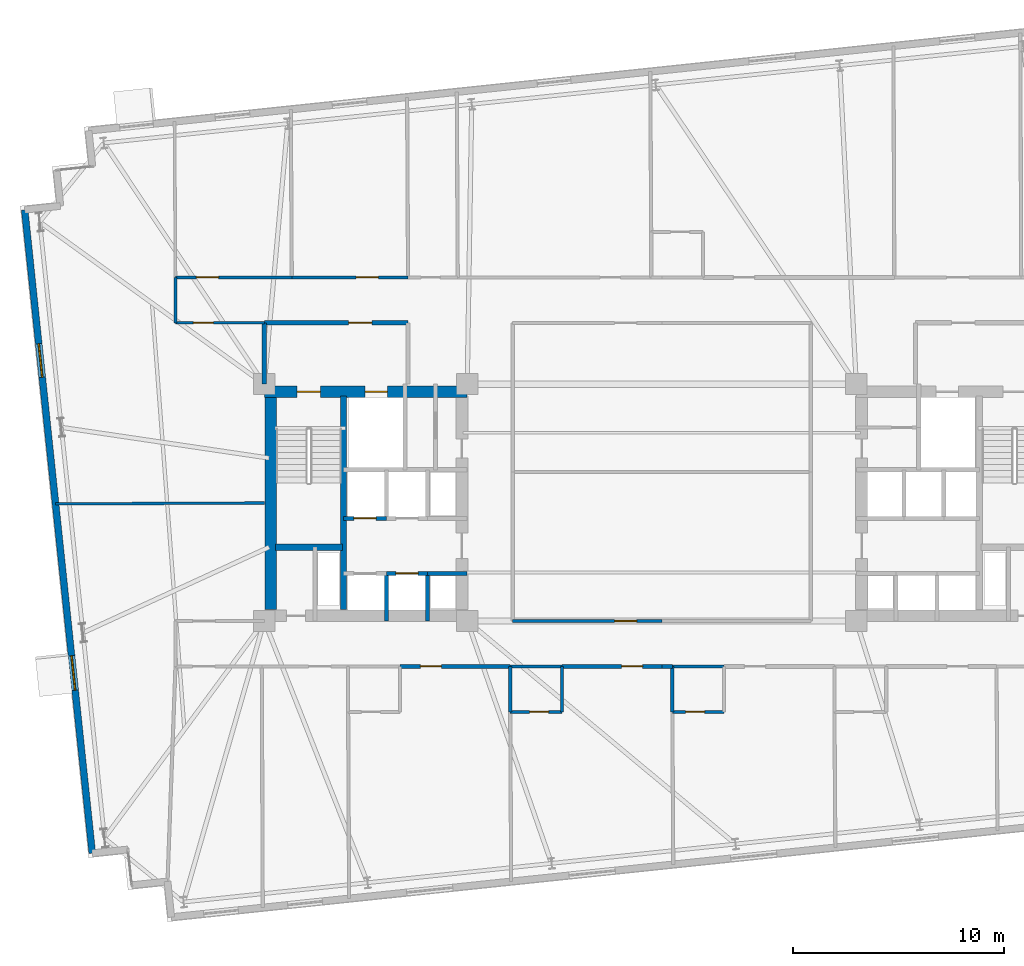
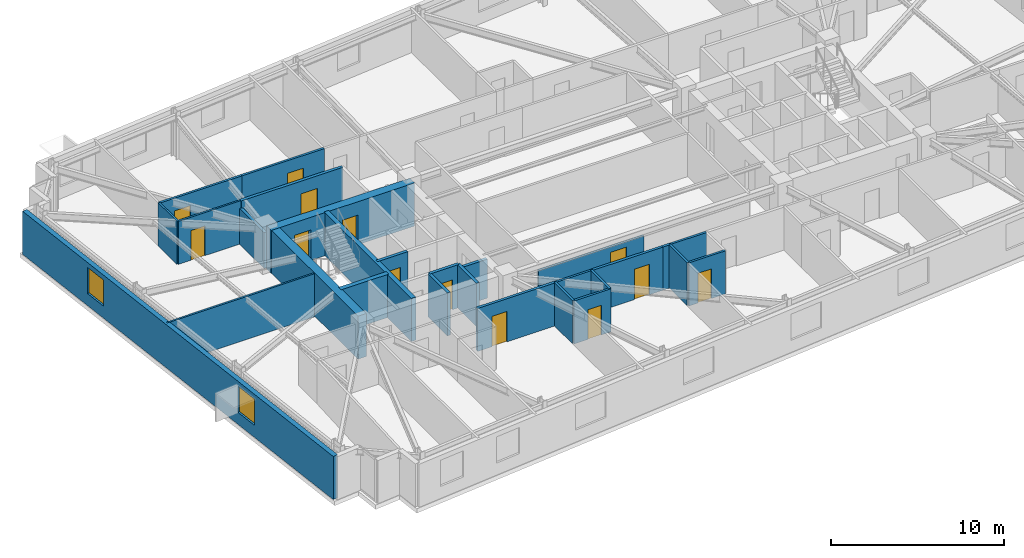
# One storey, part 12 of 18: 28 walls, 13 doors, 2 windows, 15 openings.
"""IFC4 building model written with IfcOpenShell, lengths in metres."""

from ifc_helpers import new_model, si_unit, direction, frame, frame_2d, origin, place, context, subcontext, project, spatial, rectangle, extrude, material, layer, layer_set, type_object, element, fill, save


model = new_model("IFC4")

# Units and contexts
model_context = context("Model", 3, precision=1e-05, world=origin(), true_north=direction((0.0, 1.0)))
body_context = subcontext(model_context, "Body", "Model", "MODEL_VIEW")
ifc_project = project(units=[si_unit("LENGTHUNIT", "METRE"), si_unit("AREAUNIT", "SQUARE_METRE"), si_unit("VOLUMEUNIT", "CUBIC_METRE"), si_unit("PLANEANGLEUNIT", "RADIAN"), si_unit("MASSUNIT", "GRAM", prefix="KILO")], contexts=[model_context])

# Site, building, storey
site_placement = place(None, origin())
site = spatial("IfcSite", under=ifc_project, at=site_placement, CompositionType="ELEMENT")
building_placement = place(site_placement, origin())
building = spatial("IfcBuilding", under=site, at=building_placement, Name="Qobustan Lattice House", CompositionType="ELEMENT")
storey_placement = place(building_placement, frame((0.0, 0.0, 92.39990234375)))
storey = spatial("IfcBuildingStorey", under=building, at=storey_placement, Name="L25", CompositionType="ELEMENT", Elevation=92.39990234375)

# Wall, openings, doors
ifc_material_1 = material(Name="Concrete C60/75", Category="concrete")
ifc_layer_1 = layer(ifc_material_1, 0.56005859375)
ifc_layer_set_1 = layer_set([ifc_layer_1], Name="Concrete C60/75")
wall_type_1 = type_object("IfcWallType", Name="WAL-CORE-600", PredefinedType="SHEAR", material=ifc_layer_set_1)
wall_1_placement = place(storey_placement, frame((-18.800048828125, 5.239990234375, 0.0), z_axis=(0.0, 0.0, 1.0), x_axis=(1.0, 0.0, 0.0)))
wall_1 = element("IfcWall", 1, at=wall_1_placement, inside=storey, type_object=wall_type_1, Name="L25 split-core shear wall CW-N", PredefinedType="SHEAR", context=body_context, shape_type="SweptSolid", body=[
    extrude(rectangle(XDim=9.60009765625, YDim=0.56005859375, at=frame_2d((4.800048828125, 0.0))), origin(), (0.0, 0.0, 1.0), 3.045166015625),
])
opening_1_placement = place(wall_1_placement, frame((1.550048828125, 0.0, 0.0)))
opening_1 = element("IfcOpeningElement", 2, at=opening_1_placement, cuts=wall_1, Name="Opening SD-01", PredefinedType="OPENING", context=body_context, shape_type="SweptSolid", body=[
    extrude(rectangle(XDim=1.10009765625, YDim=2.14990234375, at=frame_2d((0.550048828125, 1.074951171875))), frame((0.0, 0.2900390625, 0.0), z_axis=(0.0, -1.0, 0.0), x_axis=(1.0, 0.0, 0.0)), (0.0, 0.0, 1.0), 0.580078125),
])
opening_2_placement = place(wall_1_placement, frame((4.77490234375, 0.0, 0.0)))
opening_2 = element("IfcOpeningElement", 3, at=opening_2_placement, cuts=wall_1, Name="Opening LD-01", PredefinedType="OPENING", context=body_context, shape_type="SweptSolid", body=[
    extrude(rectangle(XDim=1.050048828125, YDim=2.10009765625, at=frame_2d((0.52490234375, 1.050048828125))), frame((0.0, 0.2900390625, 0.0), z_axis=(0.0, -1.0, 0.0), x_axis=(1.0, 0.0, 0.0)), (0.0, 0.0, 1.0), 0.580078125),
])
ifc_material_2 = material(Name="Persian walnut timber and steel frame door", Category="steel")
door_type_1 = type_object("IfcDoorType", Name="DOR-LIFT-LD-1050x2100", OperationType="NOTDEFINED", PredefinedType="DOOR", material=ifc_material_2)
door_1_placement = place(opening_2_placement, origin())
door_1 = element("IfcDoor", 4, at=door_1_placement, inside=storey, type_object=door_type_1, Name="L25 firefighting lift FF-W landing door", OperationType="DOUBLE_DOOR_SLIDING", OverallHeight=2.10009765625, OverallWidth=1.050048828125, PredefinedType="DOOR", context=body_context, shape_type="SweptSolid", body=[
    extrude(rectangle(XDim=1.050048828125, YDim=2.10009765625, at=frame_2d((0.52490234375, 1.050048828125))), frame((0.0, 0.02490234375, 0.0), z_axis=(0.0, -1.0, 0.0), x_axis=(1.0, 0.0, 0.0)), (0.0, 0.0, 1.0), 0.050048828125),
])
fill(opening_2, door_1)
ifc_material_3 = material(Name="Persian walnut timber and steel frame door", Category="steel")
door_type_2 = type_object("IfcDoorType", Name="DOR-STAIR-FD-1100x2150", OperationType="NOTDEFINED", PredefinedType="DOOR", material=ifc_material_3)
door_2_placement = place(opening_1_placement, origin())
door_2 = element("IfcDoor", 5, at=door_2_placement, inside=storey, type_object=door_type_2, Name="L25 exit stair ST-W1 fire door", OperationType="SINGLE_SWING_RIGHT", OverallHeight=2.14990234375, OverallWidth=1.10009765625, PredefinedType="DOOR", context=body_context, shape_type="SweptSolid", body=[
    extrude(rectangle(XDim=1.10009765625, YDim=2.14990234375, at=frame_2d((0.550048828125, 1.074951171875))), frame((0.0, 0.02490234375, 0.0), z_axis=(0.0, -1.0, 0.0), x_axis=(1.0, 0.0, 0.0)), (0.0, 0.0, 1.0), 0.050048828125),
])
fill(opening_1, door_2)

# Walls
wall_2_placement = place(storey_placement, frame((-18.489990234375, -5.050048828125, 0.0), z_axis=(0.0, 0.0, 1.0), x_axis=(0.0, 1.0, 0.0)))
element("IfcWall", 6, at=wall_2_placement, inside=storey, type_object=wall_type_1, Name="L25 split-core shear wall CW-W", PredefinedType="SHEAR", context=body_context, shape_type="SweptSolid", body=[
    extrude(rectangle(XDim=10.10009765625, YDim=0.56005859375, at=frame_2d((5.050048828125, 0.0))), origin(), (0.0, 0.0, 1.0), 3.045166015625),
])
ifc_material_4 = material(Name="Concrete C50/60", Category="concrete")
ifc_layer_2 = layer(ifc_material_4, 0.280029296875)
ifc_layer_set_2 = layer_set([ifc_layer_2], Name="Concrete C50/60")
wall_type_2 = type_object("IfcWallType", Name="WAL-CORE-SPINE-280", PredefinedType="SHEAR", material=ifc_layer_set_2)
wall_3_placement = place(storey_placement, frame((-15.050048828125, -5.050048828125, 0.0), z_axis=(0.0, 0.0, 1.0), x_axis=(0.0, 1.0, 0.0)))
element("IfcWall", 7, at=wall_3_placement, inside=storey, type_object=wall_type_2, Name="L25 split-core shear wall CW-M", PredefinedType="SHEAR", context=body_context, shape_type="SweptSolid", body=[
    extrude(rectangle(XDim=10.10009765625, YDim=0.300048828125, at=frame_2d((5.050048828125, 0.0))), origin(), (0.0, 0.0, 1.0), 3.045166015625),
])
wall_4_placement = place(storey_placement, frame((-18.280029296875, -2.110107421875, 0.0), z_axis=(0.0, 0.0, 1.0), x_axis=(1.0, 0.0, 0.0)))
element("IfcWall", 8, at=wall_4_placement, inside=storey, type_object=wall_type_2, Name="L25 split-core shear wall CW-ST", PredefinedType="SHEAR", context=body_context, shape_type="SweptSolid", body=[
    extrude(rectangle(XDim=3.179931640625, YDim=0.300048828125, at=frame_2d((1.58984375, 0.0))), origin(), (0.0, 0.0, 1.0), 3.045166015625),
])

# Wall, openings, windows
ifc_material_5 = material(Name="Precast concrete C40/50", Category="concrete")
ifc_layer_3 = layer(ifc_material_5, 0.320068359375)
ifc_layer_set_3 = layer_set([ifc_layer_3], Name="Precast concrete C40/50")
wall_type_3 = type_object("IfcWallType", Name="WAL-EXT-STONE-320", PredefinedType="SOLIDWALL", material=ifc_layer_set_3)
wall_5_placement = place(storey_placement, frame((-26.934814453125, -16.58349609375, 0.0), z_axis=(0.0, 0.0, 1.0), x_axis=(-0.104524887486, 0.994522271192, 0.0)))
wall_5 = element("IfcWall", 9, at=wall_5_placement, inside=storey, type_object=wall_type_3, Name="L25 exterior limestone-clad wall 5", PredefinedType="SOLIDWALL", context=body_context, shape_type="SweptSolid", body=[
    extrude(rectangle(XDim=30.600341796875, YDim=0.320068359375, at=frame_2d((15.30029296875, 0.0))), origin(), (0.0, 0.0, 1.0), 3.045166015625),
])
opening_3_placement = place(wall_5_placement, frame((7.74609375, 0.0, 0.85009765625)))
opening_3 = element("IfcOpeningElement", 10, at=opening_3_placement, cuts=wall_5, Name="Opening WN-09", PredefinedType="OPENING", context=body_context, shape_type="SweptSolid", body=[
    extrude(rectangle(XDim=1.64990234375, YDim=1.85009765625, at=frame_2d((0.824951171875, 0.925048828125))), frame((0.0, 0.169921875, 0.0), z_axis=(0.0, -1.0, 0.0), x_axis=(1.0, 0.0, 0.0)), (0.0, 0.0, 1.0), 0.340087890625),
])
opening_4_placement = place(wall_5_placement, frame((22.630615234375, 0.0, 0.85009765625)))
opening_4 = element("IfcOpeningElement", 11, at=opening_4_placement, cuts=wall_5, Name="Opening WN-13", PredefinedType="OPENING", context=body_context, shape_type="SweptSolid", body=[
    extrude(rectangle(XDim=1.60009765625, YDim=1.85009765625, at=frame_2d((0.800048828125, 0.925048828125))), frame((0.0, 0.169921875, 0.0), z_axis=(0.0, -1.0, 0.0), x_axis=(1.0, 0.0, 0.0)), (0.0, 0.0, 1.0), 0.340087890625),
])
ifc_material_6 = material(Name="Double-glazed low-E aluminium window", Category="aluminium")
window_type_1 = type_object("IfcWindowType", Name="WIN-BED-1600x1850", PartitioningType="SINGLE_PANEL", PredefinedType="WINDOW", material=ifc_material_6)
window_1_placement = place(opening_4_placement, origin())
window_1 = element("IfcWindow", 12, at=window_1_placement, inside=storey, type_object=window_type_1, Name="L25 Music and podcast studio window", OverallHeight=1.85009765625, OverallWidth=1.60009765625, PartitioningType="SINGLE_PANEL", PredefinedType="WINDOW", context=body_context, shape_type="SweptSolid", body=[
    extrude(rectangle(XDim=1.60009765625, YDim=1.85009765625, at=frame_2d((0.800048828125, 0.925048828125))), frame((0.0, 0.030029296875, 0.0), z_axis=(0.0, -1.0, 0.0), x_axis=(1.0, 0.0, 0.0)), (0.0, 0.0, 1.0), 0.06005859375),
])
fill(opening_4, window_1)
ifc_material_7 = material(Name="Double-glazed low-E aluminium window", Category="aluminium")
window_type_2 = type_object("IfcWindowType", Name="WIN-STU-1650x1850", PartitioningType="SINGLE_PANEL", PredefinedType="WINDOW", material=ifc_material_7)
window_2_placement = place(opening_3_placement, origin())
window_2 = element("IfcWindow", 13, at=window_2_placement, inside=storey, type_object=window_type_2, Name="L25 Academic seminar room window", OverallHeight=1.85009765625, OverallWidth=1.64990234375, PartitioningType="SINGLE_PANEL", PredefinedType="WINDOW", context=body_context, shape_type="SweptSolid", body=[
    extrude(rectangle(XDim=1.64990234375, YDim=1.85009765625, at=frame_2d((0.824951171875, 0.925048828125))), frame((0.0, 0.030029296875, 0.0), z_axis=(0.0, -1.0, 0.0), x_axis=(1.0, 0.0, 0.0)), (0.0, 0.0, 1.0), 0.06005859375),
])
fill(opening_3, window_2)

# Wall, opening, door
ifc_material_8 = material(Name="Gypsum fireboard acoustic partition", Category="gypsum")
ifc_layer_4 = layer(ifc_material_8, 0.179931640625)
ifc_layer_set_4 = layer_set([ifc_layer_4], Name="Gypsum fireboard acoustic partition")
wall_type_4 = type_object("IfcWallType", Name="WAL-FIRE-180", PredefinedType="PARTITIONING", material=ifc_layer_set_4)
wall_6_placement = place(storey_placement, frame((-7.1669921875, -7.75, 0.0), z_axis=(0.0, 0.0, 1.0), x_axis=(-1.0, 0.0, 0.0)))
wall_6 = element("IfcWall", 14, at=wall_6_placement, inside=storey, type_object=wall_type_4, Name="L25 interior partition 57", PredefinedType="PARTITIONING", context=body_context, shape_type="SweptSolid", body=[
    extrude(rectangle(XDim=5.216064453125, YDim=0.179931640625, at=frame_2d((2.60791015625, 0.0))), origin(), (0.0, 0.0, 1.0), 3.045166015625),
])
opening_5_placement = place(wall_6_placement, frame((3.25390625, 0.0, 0.0)))
opening_5 = element("IfcOpeningElement", 15, at=opening_5_placement, cuts=wall_6, Name="Opening FD-02", PredefinedType="OPENING", context=body_context, shape_type="SweptSolid", body=[
    extrude(rectangle(XDim=1.0, YDim=2.14990234375, at=frame_2d((0.5, 1.074951171875))), frame((0.0, 0.099853515625, 0.0), z_axis=(0.0, -1.0, 0.0), x_axis=(1.0, 0.0, 0.0)), (0.0, 0.0, 1.0), 0.199951171875),
])
ifc_material_9 = material(Name="Persian walnut timber and steel frame door", Category="steel")
door_type_3 = type_object("IfcDoorType", Name="DOR-UNIT-FD-1000x2150", OperationType="NOTDEFINED", PredefinedType="DOOR", material=ifc_material_9)
door_3_placement = place(opening_5_placement, origin())
door_3 = element("IfcDoor", 16, at=door_3_placement, inside=storey, type_object=door_type_3, Name="L25 South-west floor corridor to Kitchenette and studio apartment L25-S2 door", OperationType="SINGLE_SWING_LEFT", OverallHeight=2.14990234375, OverallWidth=1.0, PredefinedType="DOOR", context=body_context, shape_type="SweptSolid", body=[
    extrude(rectangle(XDim=1.0, YDim=2.14990234375, at=frame_2d((0.5, 1.074951171875))), frame((0.0, 0.02490234375, 0.0), z_axis=(0.0, -1.0, 0.0), x_axis=(1.0, 0.0, 0.0)), (0.0, 0.0, 1.0), 0.050048828125),
])
fill(opening_5, door_3)

wall_7_placement = place(storey_placement, frame((0.0, -7.75, 0.0), z_axis=(0.0, 0.0, 1.0), x_axis=(-1.0, 0.0, 0.0)))
wall_7 = element("IfcWall", 17, at=wall_7_placement, inside=storey, type_object=wall_type_4, Name="L25 interior partition 59", PredefinedType="PARTITIONING", context=body_context, shape_type="SweptSolid", body=[
    extrude(rectangle(XDim=4.717041015625, YDim=0.179931640625, at=frame_2d((2.3583984375, 0.0))), origin(), (0.0, 0.0, 1.0), 3.045166015625),
])
opening_6_placement = place(wall_7_placement, frame((0.899658203125, 0.0, 0.0)))
opening_6 = element("IfcOpeningElement", 18, at=opening_6_placement, cuts=wall_7, Name="Opening FD-02", PredefinedType="OPENING", context=body_context, shape_type="SweptSolid", body=[
    extrude(rectangle(XDim=1.0, YDim=2.14990234375, at=frame_2d((0.5, 1.074951171875))), frame((0.0, 0.099853515625, 0.0), z_axis=(0.0, -1.0, 0.0), x_axis=(1.0, 0.0, 0.0)), (0.0, 0.0, 1.0), 0.199951171875),
])
door_4_placement = place(opening_6_placement, origin())
door_4 = element("IfcDoor", 19, at=door_4_placement, inside=storey, type_object=door_type_3, Name="L25 South-west floor corridor to Kitchenette and studio apartment L25-S3 door", OperationType="SINGLE_SWING_RIGHT", OverallHeight=2.14990234375, OverallWidth=1.0, PredefinedType="DOOR", context=body_context, shape_type="SweptSolid", body=[
    extrude(rectangle(XDim=1.0, YDim=2.14990234375, at=frame_2d((0.5, 1.074951171875))), frame((0.0, 0.02490234375, 0.0), z_axis=(0.0, -1.0, 0.0), x_axis=(1.0, 0.0, 0.0)), (0.0, 0.0, 1.0), 0.050048828125),
])
fill(opening_6, door_4)

# Wall
wall_8_placement = place(storey_placement, frame((0.5, -7.75, 0.0), z_axis=(0.0, 0.0, 1.0), x_axis=(-1.0, 0.0, 0.0)))
element("IfcWall", 20, at=wall_8_placement, inside=storey, type_object=wall_type_4, Name="L25 interior partition 64", PredefinedType="PARTITIONING", context=body_context, shape_type="SweptSolid", body=[
    extrude(rectangle(XDim=0.5, YDim=0.179931640625, at=frame_2d((0.25, 0.0))), origin(), (0.0, 0.0, 1.0), 3.045166015625),
])

# Wall, opening, door
ifc_material_10 = material(Name="Lightweight acoustic stud partition", Category="gypsum")
ifc_layer_5 = layer(ifc_material_10, 0.125)
ifc_layer_set_5 = layer_set([ifc_layer_5], Name="Lightweight acoustic stud partition")
wall_type_5 = type_object("IfcWallType", Name="WAL-PART-125", PredefinedType="PARTITIONING", material=ifc_layer_set_5)
wall_9_placement = place(storey_placement, frame((-18.800048828125, 8.5, 0.0), z_axis=(0.0, 0.0, 1.0), x_axis=(-1.0, 0.0, 0.0)))
wall_9 = element("IfcWall", 21, at=wall_9_placement, inside=storey, type_object=wall_type_5, Name="L25 interior partition 38", PredefinedType="PARTITIONING", context=body_context, shape_type="SweptSolid", body=[
    extrude(rectangle(XDim=4.199951171875, YDim=0.125, at=frame_2d((2.10009765625, 0.0))), origin(), (0.0, 0.0, 1.0), 3.045166015625),
])
opening_7_placement = place(wall_9_placement, frame((2.40869140625, 0.0, 0.0)))
opening_7 = element("IfcOpeningElement", 22, at=opening_7_placement, cuts=wall_9, Name="Opening ID-01", PredefinedType="OPENING", context=body_context, shape_type="SweptSolid", body=[
    extrude(rectangle(XDim=0.949951171875, YDim=2.10009765625, at=frame_2d((0.47509765625, 1.050048828125))), frame((0.0, 0.072509765625, 0.0), z_axis=(0.0, -1.0, 0.0), x_axis=(1.0, 0.0, 0.0)), (0.0, 0.0, 1.0), 0.14501953125),
])
ifc_material_11 = material(Name="Persian walnut timber and steel frame door", Category="steel")
door_type_4 = type_object("IfcDoorType", Name="DOR-ROOM-950x2100", OperationType="NOTDEFINED", PredefinedType="DOOR", material=ifc_material_11)
door_5_placement = place(opening_7_placement, origin())
door_5 = element("IfcDoor", 23, at=door_5_placement, inside=storey, type_object=door_type_4, Name="L25 North-west floor corridor to Music and podcast studio door", OperationType="SINGLE_SWING_RIGHT", OverallHeight=2.10009765625, OverallWidth=0.949951171875, PredefinedType="DOOR", context=body_context, shape_type="SweptSolid", body=[
    extrude(rectangle(XDim=0.949951171875, YDim=2.10009765625, at=frame_2d((0.47509765625, 1.050048828125))), frame((0.0, 0.02490234375, 0.0), z_axis=(0.0, -1.0, 0.0), x_axis=(1.0, 0.0, 0.0)), (0.0, 0.0, 1.0), 0.050048828125),
])
fill(opening_7, door_5)

# Walls
wall_10_placement = place(storey_placement, frame((-23.0, 8.5, 0.0), z_axis=(0.0, 0.0, 1.0), x_axis=(0.0, 1.0, 0.0)))
element("IfcWall", 24, at=wall_10_placement, inside=storey, type_object=wall_type_5, Name="L25 interior partition 39", PredefinedType="PARTITIONING", context=body_context, shape_type="SweptSolid", body=[
    extrude(rectangle(XDim=2.14990234375, YDim=0.125, at=frame_2d((1.074951171875, 0.0))), origin(), (0.0, 0.0, 1.0), 3.045166015625),
])
wall_11_placement = place(storey_placement, frame((-28.6708984375, -0.063720703125, 0.0), z_axis=(0.0, 0.0, 1.0), x_axis=(0.999990089865, 0.004451985263, 0.0)))
element("IfcWall", 25, at=wall_11_placement, inside=storey, type_object=wall_type_5, Name="L25 interior partition 75", PredefinedType="PARTITIONING", context=body_context, shape_type="SweptSolid", body=[
    extrude(rectangle(XDim=9.870849609375, YDim=0.125, at=frame_2d((4.935546875, 0.0))), origin(), (0.0, 0.0, 1.0), 3.045166015625),
])

# Wall, opening, door
ifc_material_12 = material(Name="Acoustic twin-stud gypsum partition", Category="gypsum")
ifc_layer_6 = layer(ifc_material_12, 0.14990234375)
ifc_layer_set_6 = layer_set([ifc_layer_6], Name="Acoustic twin-stud gypsum partition")
wall_type_6 = type_object("IfcWallType", Name="WAL-PART-150", PredefinedType="PARTITIONING", material=ifc_layer_set_6)
wall_12_placement = place(storey_placement, frame((-23.0, 10.64990234375, 0.0), z_axis=(0.0, 0.0, 1.0), x_axis=(1.0, 0.0, 0.0)))
wall_12 = element("IfcWall", 26, at=wall_12_placement, inside=storey, type_object=wall_type_6, Name="L25 interior partition 40", PredefinedType="PARTITIONING", context=body_context, shape_type="SweptSolid", body=[
    extrude(rectangle(XDim=5.5, YDim=0.14990234375, at=frame_2d((2.75, 0.0))), origin(), (0.0, 0.0, 1.0), 3.045166015625),
])
opening_8_placement = place(wall_12_placement, frame((0.9912109375, 0.0, 0.0)))
opening_8 = element("IfcOpeningElement", 27, at=opening_8_placement, cuts=wall_12, Name="Opening ID-02", PredefinedType="OPENING", context=body_context, shape_type="SweptSolid", body=[
    extrude(rectangle(XDim=1.050048828125, YDim=2.14990234375, at=frame_2d((0.52490234375, 1.074951171875))), frame((0.0, 0.0849609375, 0.0), z_axis=(0.0, -1.0, 0.0), x_axis=(1.0, 0.0, 0.0)), (0.0, 0.0, 1.0), 0.169921875),
])
ifc_material_13 = material(Name="Persian walnut timber and steel frame door", Category="steel")
door_type_5 = type_object("IfcDoorType", Name="DOR-STUDY-1050x2150", OperationType="NOTDEFINED", PredefinedType="DOOR", material=ifc_material_13)
door_6_placement = place(opening_8_placement, origin())
door_6 = element("IfcDoor", 28, at=door_6_placement, inside=storey, type_object=door_type_5, Name="L25 North-west floor corridor to Focus study room N1A door", OperationType="SINGLE_SWING_LEFT", OverallHeight=2.14990234375, OverallWidth=1.050048828125, PredefinedType="DOOR", context=body_context, shape_type="SweptSolid", body=[
    extrude(rectangle(XDim=1.050048828125, YDim=2.14990234375, at=frame_2d((0.52490234375, 1.074951171875))), frame((0.0, 0.02490234375, 0.0), z_axis=(0.0, -1.0, 0.0), x_axis=(1.0, 0.0, 0.0)), (0.0, 0.0, 1.0), 0.050048828125),
])
fill(opening_8, door_6)

wall_13_placement = place(storey_placement, frame((-17.5, 10.64990234375, 0.0), z_axis=(0.0, 0.0, 1.0), x_axis=(1.0, 0.0, 0.0)))
wall_13 = element("IfcWall", 29, at=wall_13_placement, inside=storey, type_object=wall_type_6, Name="L25 interior partition 41", PredefinedType="PARTITIONING", context=body_context, shape_type="SweptSolid", body=[
    extrude(rectangle(XDim=5.5, YDim=0.14990234375, at=frame_2d((2.75, 0.0))), origin(), (0.0, 0.0, 1.0), 3.045166015625),
])
opening_9_placement = place(wall_13_placement, frame((3.047607421875, 0.0, 0.0)))
opening_9 = element("IfcOpeningElement", 30, at=opening_9_placement, cuts=wall_13, Name="Opening ID-02", PredefinedType="OPENING", context=body_context, shape_type="SweptSolid", body=[
    extrude(rectangle(XDim=1.050048828125, YDim=2.14990234375, at=frame_2d((0.52490234375, 1.074951171875))), frame((0.0, 0.0849609375, 0.0), z_axis=(0.0, -1.0, 0.0), x_axis=(1.0, 0.0, 0.0)), (0.0, 0.0, 1.0), 0.169921875),
])
door_7_placement = place(opening_9_placement, origin())
door_7 = element("IfcDoor", 31, at=door_7_placement, inside=storey, type_object=door_type_5, Name="L25 North-west floor corridor to Focus study room N1B door", OperationType="SINGLE_SWING_RIGHT", OverallHeight=2.14990234375, OverallWidth=1.050048828125, PredefinedType="DOOR", context=body_context, shape_type="SweptSolid", body=[
    extrude(rectangle(XDim=1.050048828125, YDim=2.14990234375, at=frame_2d((0.52490234375, 1.074951171875))), frame((0.0, 0.02490234375, 0.0), z_axis=(0.0, -1.0, 0.0), x_axis=(1.0, 0.0, 0.0)), (0.0, 0.0, 1.0), 0.050048828125),
])
fill(opening_9, door_7)

wall_14_placement = place(storey_placement, frame((-7.050048828125, -5.60009765625, 0.0), z_axis=(0.0, 0.0, 1.0), x_axis=(1.0, 0.0, 0.0)))
wall_14 = element("IfcWall", 32, at=wall_14_placement, inside=storey, type_object=wall_type_6, Name="L25 interior partition 61", PredefinedType="PARTITIONING", context=body_context, shape_type="SweptSolid", body=[
    extrude(rectangle(XDim=7.050048828125, YDim=0.14990234375, at=frame_2d((3.52490234375, 0.0))), origin(), (0.0, 0.0, 1.0), 2.530029296875),
])
opening_10_placement = place(wall_14_placement, frame((4.81494140625, 0.0, 0.0)))
opening_10 = element("IfcOpeningElement", 33, at=opening_10_placement, cuts=wall_14, Name="Opening ID-02", PredefinedType="OPENING", context=body_context, shape_type="SweptSolid", body=[
    extrude(rectangle(XDim=1.050048828125, YDim=2.14990234375, at=frame_2d((0.52490234375, 1.074951171875))), frame((0.0, 0.0849609375, 0.0), z_axis=(0.0, -1.0, 0.0), x_axis=(1.0, 0.0, 0.0)), (0.0, 0.0, 1.0), 0.169921875),
])
door_8_placement = place(opening_10_placement, origin())
door_8 = element("IfcDoor", 34, at=door_8_placement, inside=storey, type_object=door_type_5, Name="L25 South-west floor corridor to Academic seminar room door", OperationType="SINGLE_SWING_LEFT", OverallHeight=2.14990234375, OverallWidth=1.050048828125, PredefinedType="DOOR", context=body_context, shape_type="SweptSolid", body=[
    extrude(rectangle(XDim=1.050048828125, YDim=2.14990234375, at=frame_2d((0.52490234375, 1.074951171875))), frame((0.0, 0.02490234375, 0.0), z_axis=(0.0, -1.0, 0.0), x_axis=(1.0, 0.0, 0.0)), (0.0, 0.0, 1.0), 0.050048828125),
])
fill(opening_10, door_8)

ifc_material_14 = material(Name="Two-hour gypsum fireboard acoustic partition", Category="gypsum")
ifc_layer_7 = layer(ifc_material_14, 0.199951171875)
ifc_layer_set_7 = layer_set([ifc_layer_7], Name="Two-hour gypsum fireboard acoustic partition")
wall_type_7 = type_object("IfcWallType", Name="WAL-PROT-200", PredefinedType="PARTITIONING", material=ifc_layer_set_7)
wall_15_placement = place(storey_placement, frame((-12.0, 8.5, 0.0), z_axis=(0.0, 0.0, 1.0), x_axis=(-1.0, 0.0, 0.0)))
wall_15 = element("IfcWall", 35, at=wall_15_placement, inside=storey, type_object=wall_type_7, Name="L25 interior partition 3", PredefinedType="PARTITIONING", context=body_context, shape_type="SweptSolid", body=[
    extrude(rectangle(XDim=6.800048828125, YDim=0.199951171875, at=frame_2d((3.39990234375, 0.0))), origin(), (0.0, 0.0, 1.0), 3.045166015625),
])
opening_11_placement = place(wall_15_placement, frame((1.715087890625, 0.0, 0.0)))
opening_11 = element("IfcOpeningElement", 36, at=opening_11_placement, cuts=wall_15, Name="Opening SD-01", PredefinedType="OPENING", context=body_context, shape_type="SweptSolid", body=[
    extrude(rectangle(XDim=1.10009765625, YDim=2.14990234375, at=frame_2d((0.550048828125, 1.074951171875))), frame((0.0, 0.10986328125, 0.0), z_axis=(0.0, -1.0, 0.0), x_axis=(1.0, 0.0, 0.0)), (0.0, 0.0, 1.0), 0.219970703125),
])
door_9_placement = place(opening_11_placement, origin())
door_9 = element("IfcDoor", 37, at=door_9_placement, inside=storey, type_object=door_type_2, Name="L25 West firefighting lift lobby to North-west floor corridor door", OperationType="SINGLE_SWING_RIGHT", OverallHeight=2.14990234375, OverallWidth=1.10009765625, PredefinedType="DOOR", context=body_context, shape_type="SweptSolid", body=[
    extrude(rectangle(XDim=1.10009765625, YDim=2.14990234375, at=frame_2d((0.550048828125, 1.074951171875))), frame((0.0, 0.02490234375, 0.0), z_axis=(0.0, -1.0, 0.0), x_axis=(1.0, 0.0, 0.0)), (0.0, 0.0, 1.0), 0.050048828125),
])
fill(opening_11, door_9)

# Wall
wall_16_placement = place(storey_placement, frame((-18.800048828125, 8.5, 0.0), z_axis=(0.0, 0.0, 1.0), x_axis=(0.0, -1.0, 0.0)))
element("IfcWall", 38, at=wall_16_placement, inside=storey, type_object=wall_type_7, Name="L25 interior partition 5", PredefinedType="PARTITIONING", context=body_context, shape_type="SweptSolid", body=[
    extrude(rectangle(XDim=2.89990234375, YDim=0.199951171875, at=frame_2d((1.449951171875, 0.0))), origin(), (0.0, 0.0, 1.0), 2.530029296875),
])

# Wall, opening, door
ifc_material_15 = material(Name="Concrete C40/50", Category="concrete")
ifc_layer_8 = layer(ifc_material_15, 0.199951171875)
ifc_layer_set_8 = layer_set([ifc_layer_8], Name="Concrete C40/50")
wall_type_8 = type_object("IfcWallType", Name="WAL-SHAFT-200", PredefinedType="PARTITIONING", material=ifc_layer_set_8)
wall_17_placement = place(storey_placement, frame((-13.02001953125, -3.35009765625, 0.0), z_axis=(0.0, 0.0, 1.0), x_axis=(1.0, 0.0, 0.0)))
wall_17 = element("IfcWall", 39, at=wall_17_placement, inside=storey, type_object=wall_type_8, Name="L25 interior partition 9", PredefinedType="PARTITIONING", context=body_context, shape_type="SweptSolid", body=[
    extrude(rectangle(XDim=1.93994140625, YDim=0.199951171875, at=frame_2d((0.969970703125, 0.0))), origin(), (0.0, 0.0, 1.0), 3.045166015625),
])
opening_12_placement = place(wall_17_placement, frame((0.445068359375, 0.0, 0.0)))
opening_12 = element("IfcOpeningElement", 40, at=opening_12_placement, cuts=wall_17, Name="Opening LD-01", PredefinedType="OPENING", context=body_context, shape_type="SweptSolid", body=[
    extrude(rectangle(XDim=1.050048828125, YDim=2.10009765625, at=frame_2d((0.52490234375, 1.050048828125))), frame((0.0, 0.10986328125, 0.0), z_axis=(0.0, -1.0, 0.0), x_axis=(1.0, 0.0, 0.0)), (0.0, 0.0, 1.0), 0.219970703125),
])
door_10_placement = place(opening_12_placement, origin())
door_10 = element("IfcDoor", 41, at=door_10_placement, inside=storey, type_object=door_type_1, Name="L25 lift landing door", OperationType="DOUBLE_DOOR_SLIDING", OverallHeight=2.10009765625, OverallWidth=1.050048828125, PredefinedType="DOOR", context=body_context, shape_type="SweptSolid", body=[
    extrude(rectangle(XDim=1.050048828125, YDim=2.10009765625, at=frame_2d((0.52490234375, 1.050048828125))), frame((0.0, 0.02490234375, 0.0), z_axis=(0.0, -1.0, 0.0), x_axis=(1.0, 0.0, 0.0)), (0.0, 0.0, 1.0), 0.050048828125),
])
fill(opening_12, door_10)

# Wall
wall_18_placement = place(storey_placement, frame((-11.080078125, -3.35009765625, 0.0), z_axis=(0.0, 0.0, 1.0), x_axis=(1.0, 0.0, 0.0)))
element("IfcWall", 42, at=wall_18_placement, inside=storey, type_object=wall_type_8, Name="L25 interior partition 10", PredefinedType="PARTITIONING", context=body_context, shape_type="SweptSolid", body=[
    extrude(rectangle(XDim=1.880126953125, YDim=0.199951171875, at=frame_2d((0.93994140625, 0.0))), origin(), (0.0, 0.0, 1.0), 2.760009765625),
])

# Wall, opening, door
wall_19_placement = place(storey_placement, frame((-13.02001953125, -0.75, 0.0), z_axis=(0.0, 0.0, 1.0), x_axis=(-1.0, 0.0, 0.0)))
wall_19 = element("IfcWall", 43, at=wall_19_placement, inside=storey, type_object=wall_type_8, Name="L25 interior partition 11", PredefinedType="PARTITIONING", context=body_context, shape_type="SweptSolid", body=[
    extrude(rectangle(XDim=2.030029296875, YDim=0.199951171875, at=frame_2d((1.01513671875, 0.0))), origin(), (0.0, 0.0, 1.0), 3.045166015625),
])
opening_13_placement = place(wall_19_placement, frame((0.489990234375, 0.0, 0.0)))
opening_13 = element("IfcOpeningElement", 44, at=opening_13_placement, cuts=wall_19, Name="Opening LD-01", PredefinedType="OPENING", context=body_context, shape_type="SweptSolid", body=[
    extrude(rectangle(XDim=1.050048828125, YDim=2.10009765625, at=frame_2d((0.52490234375, 1.050048828125))), frame((0.0, 0.10986328125, 0.0), z_axis=(0.0, -1.0, 0.0), x_axis=(1.0, 0.0, 0.0)), (0.0, 0.0, 1.0), 0.219970703125),
])
door_11_placement = place(opening_13_placement, origin())
door_11 = element("IfcDoor", 45, at=door_11_placement, inside=storey, type_object=door_type_1, Name="L25 lift landing door", OperationType="DOUBLE_DOOR_SLIDING", OverallHeight=2.10009765625, OverallWidth=1.050048828125, PredefinedType="DOOR", context=body_context, shape_type="SweptSolid", body=[
    extrude(rectangle(XDim=1.050048828125, YDim=2.10009765625, at=frame_2d((0.52490234375, 1.050048828125))), frame((0.0, 0.02490234375, 0.0), z_axis=(0.0, -1.0, 0.0), x_axis=(1.0, 0.0, 0.0)), (0.0, 0.0, 1.0), 0.050048828125),
])
fill(opening_13, door_11)

# Walls
for number, where, z_axis, x_axis, name in (
    (46, (-13.02001953125, -5.60009765625, 0.0), (0.0, 0.0, 1.0), (0.0, 1.0, 0.0), "L25 interior partition 15"),
    (47, (-11.080078125, -5.60009765625, 0.0), (0.0, 0.0, 1.0), (0.0, 1.0, 0.0), "L25 interior partition 16"),
):
    element("IfcWall", number, at=place(storey_placement, frame(where, z_axis=z_axis, x_axis=x_axis)), inside=storey, type_object=wall_type_8, Name=name, PredefinedType="PARTITIONING", context=body_context, shape_type="SweptSolid", body=[
        extrude(rectangle(XDim=2.25, YDim=0.199951171875, at=frame_2d((1.125, 0.0))), origin(), (0.0, 0.0, 1.0), 3.045166015625),
    ])
ifc_material_16 = material(Name="Moisture-resistant acoustic plumbing wall", Category="gypsum")
ifc_layer_9 = layer(ifc_material_16, 0.14990234375)
ifc_layer_set_9 = layer_set([ifc_layer_9], Name="Moisture-resistant acoustic plumbing wall")
wall_type_9 = type_object("IfcWallType", Name="WAL-WET-150", PredefinedType="PLUMBINGWALL", material=ifc_layer_set_9)
for number, where, z_axis, x_axis, name in (
    (48, (-4.717041015625, -7.75, 0.0), (0.0, 0.0, 1.0), (-1.0, 0.0, 0.0), "L25 interior partition 60"),
    (49, (2.949951171875, -7.75, 0.0), (0.0, 0.0, 1.0), (-1.0, 0.0, 0.0), "L25 interior partition 66"),
):
    element("IfcWall", number, at=place(storey_placement, frame(where, z_axis=z_axis, x_axis=x_axis)), inside=storey, type_object=wall_type_9, Name=name, PredefinedType="PLUMBINGWALL", context=body_context, shape_type="SweptSolid", body=[
        extrude(rectangle(XDim=2.449951171875, YDim=0.14990234375, at=frame_2d((1.22509765625, 0.0))), origin(), (0.0, 0.0, 1.0), 3.045166015625),
    ])
wall_20_placement = place(storey_placement, frame((-7.1669921875, -7.75, 0.0), z_axis=(0.0, 0.0, 1.0), x_axis=(0.0, -1.0, 0.0)))
element("IfcWall", 50, at=wall_20_placement, inside=storey, type_object=wall_type_9, Name="L25 interior partition 104", PredefinedType="PLUMBINGWALL", context=body_context, shape_type="SweptSolid", body=[
    extrude(rectangle(XDim=2.14990234375, YDim=0.14990234375, at=frame_2d((1.074951171875, 0.0))), origin(), (0.0, 0.0, 1.0), 3.045166015625),
])

# Wall, opening, door
wall_21_placement = place(storey_placement, frame((-7.1669921875, -9.89990234375, 0.0), z_axis=(0.0, 0.0, 1.0), x_axis=(1.0, 0.0, 0.0)))
wall_21 = element("IfcWall", 51, at=wall_21_placement, inside=storey, type_object=wall_type_9, Name="L25 interior partition 105", PredefinedType="PLUMBINGWALL", context=body_context, shape_type="SweptSolid", body=[
    extrude(rectangle(XDim=2.449951171875, YDim=0.14990234375, at=frame_2d((1.22509765625, 0.0))), origin(), (0.0, 0.0, 1.0), 3.045166015625),
])
opening_14_placement = place(wall_21_placement, frame((0.92138671875, 0.0, 0.0)))
opening_14 = element("IfcOpeningElement", 52, at=opening_14_placement, cuts=wall_21, Name="Opening WD-01", PredefinedType="OPENING", context=body_context, shape_type="SweptSolid", body=[
    extrude(rectangle(XDim=0.89990234375, YDim=2.10009765625, at=frame_2d((0.449951171875, 1.050048828125))), frame((0.0, 0.0849609375, 0.0), z_axis=(0.0, -1.0, 0.0), x_axis=(1.0, 0.0, 0.0)), (0.0, 0.0, 1.0), 0.169921875),
])
ifc_material_17 = material(Name="Persian walnut timber and steel frame door", Category="steel")
door_type_6 = type_object("IfcDoorType", Name="DOR-WET-900x2100", OperationType="NOTDEFINED", PredefinedType="DOOR", material=ifc_material_17)
door_12_placement = place(opening_14_placement, origin())
door_12 = element("IfcDoor", 53, at=door_12_placement, inside=storey, type_object=door_type_6, Name="L25 Kitchenette and studio apartment L25-S3 to En-suite bathroom L25-S3 door", OperationType="SINGLE_SWING_RIGHT", OverallHeight=2.10009765625, OverallWidth=0.89990234375, PredefinedType="DOOR", context=body_context, shape_type="SweptSolid", body=[
    extrude(rectangle(XDim=0.89990234375, YDim=2.10009765625, at=frame_2d((0.449951171875, 1.050048828125))), frame((0.0, 0.02490234375, 0.0), z_axis=(0.0, -1.0, 0.0), x_axis=(1.0, 0.0, 0.0)), (0.0, 0.0, 1.0), 0.050048828125),
])
fill(opening_14, door_12)

# Walls
for number, where, z_axis, x_axis, name in (
    (54, (-4.717041015625, -9.89990234375, 0.0), (0.0, 0.0, 1.0), (0.0, 1.0, 0.0), "L25 interior partition 106"),
    (55, (0.5, -7.75, 0.0), (0.0, 0.0, 1.0), (0.0, -1.0, 0.0), "L25 interior partition 108"),
):
    element("IfcWall", number, at=place(storey_placement, frame(where, z_axis=z_axis, x_axis=x_axis)), inside=storey, type_object=wall_type_9, Name=name, PredefinedType="PLUMBINGWALL", context=body_context, shape_type="SweptSolid", body=[
        extrude(rectangle(XDim=2.14990234375, YDim=0.14990234375, at=frame_2d((1.074951171875, 0.0))), origin(), (0.0, 0.0, 1.0), 3.045166015625),
    ])

# Wall, opening, door
wall_22_placement = place(storey_placement, frame((0.5, -9.89990234375, 0.0), z_axis=(0.0, 0.0, 1.0), x_axis=(1.0, 0.0, 0.0)))
wall_22 = element("IfcWall", 56, at=wall_22_placement, inside=storey, type_object=wall_type_9, Name="L25 interior partition 109", PredefinedType="PLUMBINGWALL", context=body_context, shape_type="SweptSolid", body=[
    extrude(rectangle(XDim=2.449951171875, YDim=0.14990234375, at=frame_2d((1.22509765625, 0.0))), origin(), (0.0, 0.0, 1.0), 3.045166015625),
])
opening_15_placement = place(wall_22_placement, frame((0.62890625, 0.0, 0.0)))
opening_15 = element("IfcOpeningElement", 57, at=opening_15_placement, cuts=wall_22, Name="Opening WD-01", PredefinedType="OPENING", context=body_context, shape_type="SweptSolid", body=[
    extrude(rectangle(XDim=0.89990234375, YDim=2.10009765625, at=frame_2d((0.449951171875, 1.050048828125))), frame((0.0, 0.0849609375, 0.0), z_axis=(0.0, -1.0, 0.0), x_axis=(1.0, 0.0, 0.0)), (0.0, 0.0, 1.0), 0.169921875),
])
door_13_placement = place(opening_15_placement, origin())
door_13 = element("IfcDoor", 58, at=door_13_placement, inside=storey, type_object=door_type_6, Name="L25 Kitchenette and studio apartment L25-S4 to En-suite bathroom L25-S4 door", OperationType="SINGLE_SWING_LEFT", OverallHeight=2.10009765625, OverallWidth=0.89990234375, PredefinedType="DOOR", context=body_context, shape_type="SweptSolid", body=[
    extrude(rectangle(XDim=0.89990234375, YDim=2.10009765625, at=frame_2d((0.449951171875, 1.050048828125))), frame((0.0, 0.02490234375, 0.0), z_axis=(0.0, -1.0, 0.0), x_axis=(1.0, 0.0, 0.0)), (0.0, 0.0, 1.0), 0.050048828125),
])
fill(opening_15, door_13)

save(model, "model.ifc")
